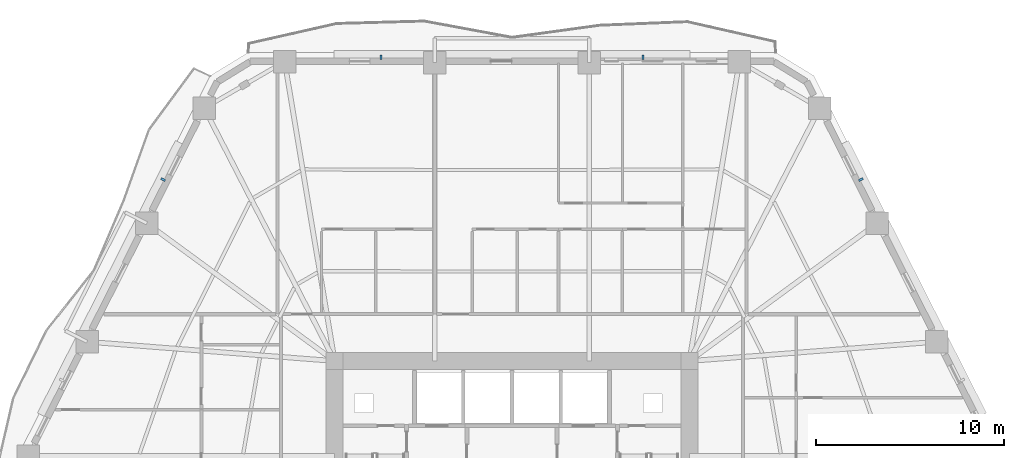
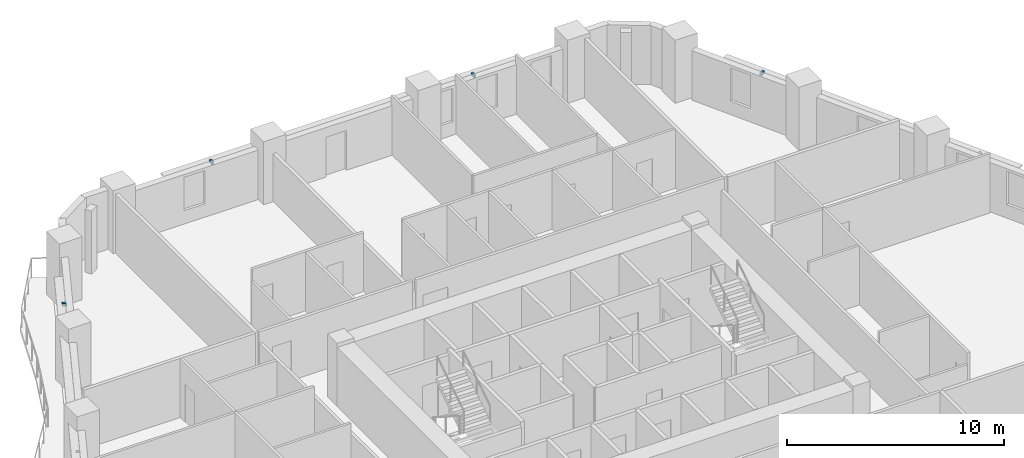
# One storey, part 9 of 13: 4 discrete accessories.
"""IFC4 building model written with IfcOpenShell, lengths in metres."""

from ifc_helpers import new_model, si_unit, direction, frame, origin, origin_2d, place, context, subcontext, project, spatial, rectangle, extrude, material, type_object, element, save


model = new_model("IFC4")

# Units and contexts
model_context = context("Model", 3, precision=1e-05, world=origin(), true_north=direction((0.0, 1.0)))
body_context = subcontext(model_context, "Body", "Model", "MODEL_VIEW")
ifc_project = project(units=[si_unit("LENGTHUNIT", "METRE"), si_unit("AREAUNIT", "SQUARE_METRE"), si_unit("VOLUMEUNIT", "CUBIC_METRE"), si_unit("PLANEANGLEUNIT", "RADIAN"), si_unit("MASSUNIT", "GRAM", prefix="KILO")], contexts=[model_context])

# Site, building, storey
site_placement = place(None, origin())
site = spatial("IfcSite", under=ifc_project, at=site_placement, CompositionType="ELEMENT")
building_placement = place(site_placement, origin())
building = spatial("IfcBuilding", under=site, at=building_placement, Name="Cinnabar Lancet Tower", CompositionType="ELEMENT")
storey_placement = place(building_placement, frame((0.0, 0.0, 49.75)))
storey = spatial("IfcBuildingStorey", under=building, at=storey_placement, Name="L12", CompositionType="ELEMENT", Elevation=49.75)

# Discrete accessories
ifc_material = material(Name="Stainless steel 316 facade fixing bracket", Category="steel")
discrete_accessory_type = type_object("IfcDiscreteAccessoryType", Name="ENV-ACC-BRK-180", PredefinedType="BRACKET", material=ifc_material)
for number, where, z_axis, x_axis, name in (
    (1, (50.993896484375, 43.02099609375, 2.60009765625), (0.0, 0.0, 1.0), (-0.451500573218, 0.892270829056, 0.0), "L12 Face 3 Sunshade Bracket B"),
    (2, (39.383056640625, 49.5400390625, 2.60009765625), (0.0, 0.0, 1.0), (-1.0, 0.0, 0.0), "L12 Face 4 Sunshade Bracket A"),
    (3, (25.4169921875, 49.5400390625, 2.60009765625), (0.0, 0.0, 1.0), (-1.0, 0.0, 0.0), "L12 Face 4 Sunshade Bracket B"),
    (4, (13.805908203125, 43.02099609375, 2.60009765625), (0.0, 0.0, 1.0), (-0.451500573218, -0.892270829056, 0.0), "L12 Face 5 Sunshade Bracket A"),
):
    element("IfcDiscreteAccessory", number, at=place(storey_placement, frame(where, z_axis=z_axis, x_axis=x_axis)), inside=storey, type_object=discrete_accessory_type, Name=name, PredefinedType="BRACKET", context=body_context, shape_type="SweptSolid", body=[
        extrude(rectangle(XDim=0.1201171875, YDim=0.239990234375, at=origin_2d()), origin(), (0.0, 0.0, 1.0), 0.159912109375),
    ])

save(model, "model.ifc")
